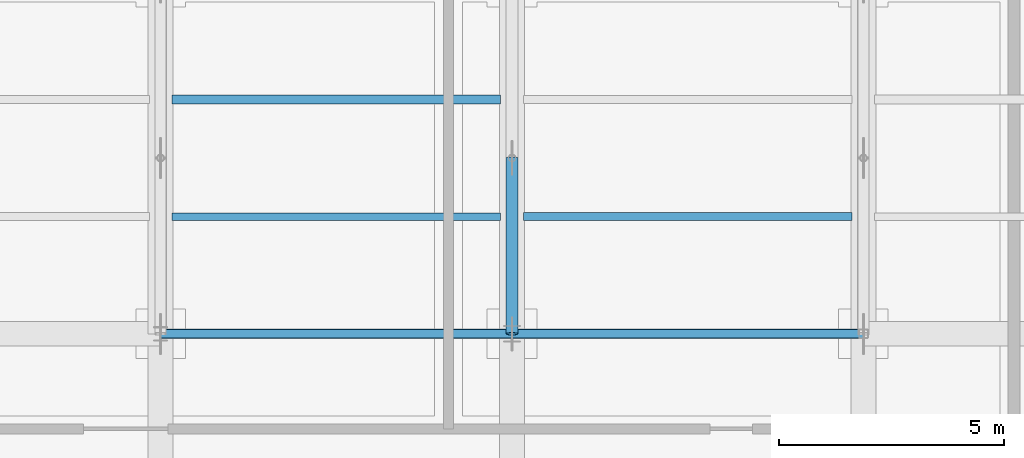
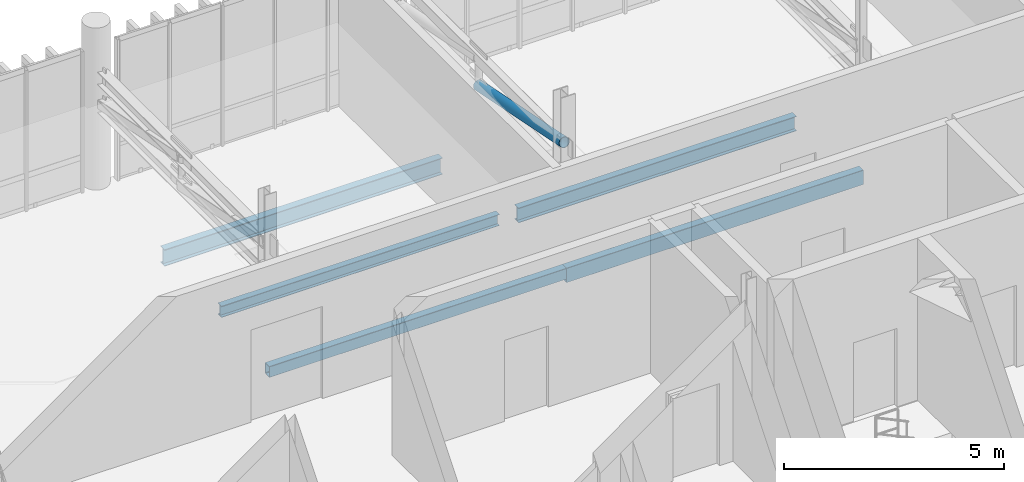
# One storey, part 36 of 53: 5 beams, 1 member.
"""IFC4 building model written with IfcOpenShell, lengths in metres."""

import ifcopenshell
import ifcopenshell.guid

model = None  # the IFC model being written
_history = None  # IfcOwnerHistory: only IFC2X3 demands one
_inside = {}  # id of a spatial element -> (the spatial element, [elements in it])
_under = {}  # id of a project, library or spatial element -> (it, [spatial elements below it])
_declared = {}  # id of a project -> (the project, [libraries it declares])
_typed = {}  # id of a type object -> (the type object, [elements of that type])
_made_of = {}  # id of a material, layer set ... -> (it, [elements and type objects made of it])


def new_model(schema):
    """Start an empty IFC model of exactly this schema.

    Asked for "IFC4X3", IfcOpenShell would pick the latest addendum, in which some entities
    have other attributes; the version numbers below select the first issue.
    IFC2X3 requires an IfcOwnerHistory on every rooted entity: one is made here for all.
    """
    global model, _history
    if schema == "IFC4X3":
        model = ifcopenshell.file(schema_version=(4, 3, 0, 0))
    else:
        model = ifcopenshell.file(schema=schema)
    _inside.clear()
    _under.clear()
    _declared.clear()
    _typed.clear()
    _made_of.clear()
    _history = None
    if model.schema == "IFC2X3":
        org = make("IfcOrganization", Name="unknown")
        user = make(
            "IfcPersonAndOrganization",
            ThePerson=make("IfcPerson", FamilyName="unknown"),
            TheOrganization=org,
        )
        app = make(
            "IfcApplication",
            ApplicationDeveloper=org,
            Version="unknown",
            ApplicationFullName="unknown",
            ApplicationIdentifier="unknown",
        )
        _history = make(
            "IfcOwnerHistory",
            OwningUser=user,
            OwningApplication=app,
            ChangeAction="ADDED",
            CreationDate=0,
        )
    return model


def make(cls, **values):
    """One entity of the class cls with the attributes given. An attribute that is None is left unset."""
    return model.create_entity(
        cls, **{name: value for name, value in values.items() if value is not None}
    )


def rooted(cls, **values):
    """An entity with a GlobalId (a new one), such as an element, a storey or a relation."""
    return make(cls, GlobalId=ifcopenshell.guid.new(), OwnerHistory=_history, **values)


def si_unit(unit_type, name, prefix=None):
    """IfcSIUnit, for example si_unit("LENGTHUNIT", "METRE", prefix="MILLI")."""
    return make("IfcSIUnit", UnitType=unit_type, Prefix=prefix, Name=name)


def assignment(units):
    """IfcUnitAssignment: the units of a project."""
    return None if units is None else make("IfcUnitAssignment", Units=units)


def point(xyz):
    """IfcCartesianPoint."""
    return None if xyz is None else make("IfcCartesianPoint", Coordinates=xyz)


def direction(xyz):
    """IfcDirection."""
    return None if xyz is None else make("IfcDirection", DirectionRatios=xyz)


def frame(location, z_axis=None, x_axis=None):
    """IfcAxis2Placement3D, a coordinate frame: its origin and axes. An axis left out is left unset."""
    return make(
        "IfcAxis2Placement3D",
        Location=point(location),
        Axis=direction(z_axis),
        RefDirection=direction(x_axis),
    )


def frame_2d(location, x_axis=None):
    """IfcAxis2Placement2D, a coordinate frame in the plane: its origin and x axis."""
    return make(
        "IfcAxis2Placement2D", Location=point(location), RefDirection=direction(x_axis)
    )


def origin_with_axes():
    """The frame at (0, 0, 0) with the z axis (0, 0, 1) and the x axis (1, 0, 0) written out."""
    return frame((0.0, 0.0, 0.0), z_axis=(0.0, 0.0, 1.0), x_axis=(1.0, 0.0, 0.0))


def origin_2d_with_axis():
    """The frame at (0, 0) in the plane with the x axis (1, 0) written out."""
    return frame_2d((0.0, 0.0), x_axis=(1.0, 0.0))


def place(relative_to, where):
    """IfcLocalPlacement: puts the frame where relative to a parent placement (None: the world)."""
    return make(
        "IfcLocalPlacement", PlacementRelTo=relative_to, RelativePlacement=where
    )


def context(
    kind, dimensions, precision=None, world=None, true_north=None, identifier=None
):
    """IfcGeometricRepresentationContext, for example the 3D "Model" context."""
    return make(
        "IfcGeometricRepresentationContext",
        ContextIdentifier=identifier,
        ContextType=kind,
        CoordinateSpaceDimension=dimensions,
        Precision=precision,
        WorldCoordinateSystem=world,
        TrueNorth=true_north,
    )


def subcontext(parent, identifier, kind, view, scale=None):
    """IfcGeometricRepresentationSubContext, for example "Body" below "Model"."""
    return make(
        "IfcGeometricRepresentationSubContext",
        ContextIdentifier=identifier,
        ContextType=kind,
        ParentContext=parent,
        TargetScale=scale,
        TargetView=view,
    )


def project(units=None, contexts=None):
    """IfcProject with its units and contexts."""
    return rooted(
        "IfcProject",
        Name="project",
        RepresentationContexts=contexts,
        UnitsInContext=assignment(units),
    )


def spatial(cls, under=None, at=None, **own):
    """A site, building, storey or space (cls), placed at a placement, below another one or the project."""
    s = rooted(cls, ObjectPlacement=at, **own)
    if under is not None:
        _under.setdefault(under.id(), (under, []))[1].append(s)
    return s


def profile(cls, at=None, kind="AREA", **sizes):
    """A parametric profile (cls). Its sizes go by their IFC names, for example OverallWidth=200.0."""
    return make(cls, ProfileType=kind, Position=at, **sizes)


def hollow_rectangle(**sizes):
    """IfcRectangleHollowProfileDef."""
    return profile("IfcRectangleHollowProfileDef", **sizes)


def hollow_circle(**sizes):
    """IfcCircleHollowProfileDef."""
    return profile("IfcCircleHollowProfileDef", **sizes)


def i_section(**sizes):
    """IfcIShapeProfileDef."""
    return profile("IfcIShapeProfileDef", **sizes)


def extrude(swept, where, along, depth):
    """IfcExtrudedAreaSolid: the profile swept, set in the frame where, extruded along a direction by depth."""
    return make(
        "IfcExtrudedAreaSolid",
        SweptArea=swept,
        Position=where,
        ExtrudedDirection=direction(along),
        Depth=depth,
    )


def shape(context_of_items, identifier, shape_type, items):
    """IfcShapeRepresentation: the items that make up one representation, for example the "Body"."""
    return make(
        "IfcShapeRepresentation",
        ContextOfItems=context_of_items,
        RepresentationIdentifier=identifier,
        RepresentationType=shape_type,
        Items=items,
    )


def material(Name=None, Category=None):
    """IfcMaterial."""
    return make("IfcMaterial", Name=Name, Category=Category)


def material_profile(
    of_material, cross_section, Name=None, Category=None, Priority=None
):
    """IfcMaterialProfile: a cross section and its material."""
    return make(
        "IfcMaterialProfile",
        Name=Name,
        Material=of_material,
        Profile=cross_section,
        Priority=Priority,
        Category=Category,
    )


def profile_set(profiles, Name=None, composite=None):
    """IfcMaterialProfileSet."""
    return make(
        "IfcMaterialProfileSet",
        Name=Name,
        MaterialProfiles=profiles,
        CompositeProfile=composite,
    )


def made_of(thing, what):
    """Note that an element or type object is made of a material, layer set ...; save() writes the relation."""
    if what is not None:
        _made_of.setdefault(what.id(), (what, []))[1].append(thing)
    return thing


def type_object(cls, material=None, **own):
    """A type object (cls), such as IfcWallType, which elements share."""
    return made_of(rooted(cls, **own), material)


def element(
    cls,
    number,
    at=None,
    inside=None,
    cuts=None,
    type_object=None,
    material=None,
    context=None,
    identifier="Body",
    shape_type=None,
    held_by="IfcProductDefinitionShape",
    body=None,
    shapes=None,
    **own,
):
    """One element of the class cls, such as IfcWall. Its Tag is "e" and its number.

    at: its placement. inside: the storey or other place that contains it. cuts: it is an
    opening in that element (IfcRelVoidsElement). A single representation is given by context,
    identifier, shape_type and body (its items); several are given by shapes. held_by: the class
    of the entity that holds the representations. save() writes the other relations.
    """
    e = rooted(cls, Tag="e%d" % number, ObjectPlacement=at, **own)
    if body is not None:
        shapes = [shape(context, identifier, shape_type, body)]
    if shapes is not None:
        e.Representation = make(held_by, Representations=shapes)
    if inside is not None:
        _inside.setdefault(inside.id(), (inside, []))[1].append(e)
    if cuts is not None:
        rooted(
            "IfcRelVoidsElement", RelatingBuildingElement=cuts, RelatedOpeningElement=e
        )
    if type_object is not None:
        _typed.setdefault(type_object.id(), (type_object, []))[1].append(e)
    return made_of(e, material)


def aggregate(whole, parts):
    """IfcRelAggregates: a whole, such as a stair, and the parts it consists of."""
    return rooted("IfcRelAggregates", RelatingObject=whole, RelatedObjects=parts)


def save(model, path):
    """Write the relations noted so far, then the file.

    IfcRelAggregates (storeys below a building ...), IfcRelContainedInSpatialStructure (elements
    in a storey), IfcRelDefinesByType, IfcRelAssociatesMaterial and IfcRelDeclares: one each for
    every whole, place, type object, material and project.
    """
    for whole, parts in _under.values():
        aggregate(whole, parts)
    for where, things in _inside.values():
        rooted(
            "IfcRelContainedInSpatialStructure",
            RelatedElements=things,
            RelatingStructure=where,
        )
    for kind, things in _typed.values():
        rooted("IfcRelDefinesByType", RelatedObjects=things, RelatingType=kind)
    for what, things in _made_of.values():
        rooted("IfcRelAssociatesMaterial", RelatedObjects=things, RelatingMaterial=what)
    for by, libraries in _declared.values():
        rooted("IfcRelDeclares", RelatingContext=by, RelatedDefinitions=libraries)
    model.write(path)


model = new_model("IFC4")

# Units and contexts
model_context = context("Model", 3, precision=1e-05, world=origin_with_axes(), true_north=direction((0.0, 1.0)))
body_context = subcontext(model_context, "Body", "Model", "MODEL_VIEW")
ifc_project = project(units=[si_unit("LENGTHUNIT", "METRE"), si_unit("AREAUNIT", "SQUARE_METRE"), si_unit("VOLUMEUNIT", "CUBIC_METRE"), si_unit("PLANEANGLEUNIT", "RADIAN"), si_unit("MASSUNIT", "GRAM", prefix="KILO"), si_unit("THERMODYNAMICTEMPERATUREUNIT", "KELVIN")], contexts=[model_context])

# Site, building, storey
site_placement = place(None, origin_with_axes())
site = spatial("IfcSite", under=ifc_project, at=site_placement, CompositionType="ELEMENT")
building_placement = place(site_placement, origin_with_axes())
building = spatial("IfcBuilding", under=site, at=building_placement, Name="Montbau Bow Law Courts", CompositionType="ELEMENT")
storey_placement = place(building_placement, frame((0.0, 0.0, 39.0), z_axis=(0.0, 0.0, 1.0), x_axis=(1.0, 0.0, 0.0)))
storey = spatial("IfcBuildingStorey", under=building, at=storey_placement, Name="L08", CompositionType="ELEMENT", Elevation=39.0)

# Beams
ifc_material_1 = material(Name="Steel CSA G40.21 Grade 350W (350 MPa)", Category="steel")
ifc_material_profile_1 = material_profile(ifc_material_1, i_section(OverallWidth=0.191, OverallDepth=0.46, WebThickness=0.0099, FlangeThickness=0.016, at=origin_2d_with_axis()), Name="W460X82", Category="Main", Priority=0)
ifc_profile_set_1 = profile_set([ifc_material_profile_1], Name="Steel CSA G40.21 Grade 350W (350 MPa)")
beam_type_1 = type_object("IfcBeamType", Name="B-JST-01", PredefinedType="JOIST", material=ifc_profile_set_1)
beam_1_placement = place(None, frame((147.251, 108.4, 38.43), z_axis=(1.0, 0.0, 0.0), x_axis=(0.0, 1.0, 0.0)))
element("IfcBeam", 1, at=beam_1_placement, inside=storey, type_object=beam_type_1, Name="JST-L08-S0768:jst2_0768", PredefinedType="JOIST", context=body_context, shape_type="SweptSolid", body=[
    extrude(i_section(OverallWidth=0.191, OverallDepth=0.46, WebThickness=0.0099, FlangeThickness=0.016, at=origin_2d_with_axis()), origin_with_axes(), (0.0, 0.0, 1.0), 7.298),
])
ifc_material_profile_2 = material_profile(ifc_material_1, i_section(OverallWidth=0.179, OverallDepth=0.41, WebThickness=0.0088, FlangeThickness=0.0144, at=origin_2d_with_axis()), Name="W410X67", Category="Main", Priority=0)
ifc_profile_set_2 = profile_set([ifc_material_profile_2], Name="Steel CSA G40.21 Grade 350W (350 MPa)")
beam_type_2 = type_object("IfcBeamType", Name="B-JST-02", PredefinedType="JOIST", material=ifc_profile_set_2)
beam_2_placement = place(None, frame((155.051, 105.8, 38.455), z_axis=(1.0, 0.0, 0.0), x_axis=(0.0, 1.0, 0.0)))
element("IfcBeam", 2, at=beam_2_placement, inside=storey, type_object=beam_type_2, Name="JST-L08-S0769:jst2_0769", PredefinedType="JOIST", context=body_context, shape_type="SweptSolid", body=[
    extrude(i_section(OverallWidth=0.179, OverallDepth=0.41, WebThickness=0.0088, FlangeThickness=0.0144, at=origin_2d_with_axis()), origin_with_axes(), (0.0, 0.0, 1.0), 7.298),
])
ifc_material_profile_3 = material_profile(ifc_material_1, i_section(OverallWidth=0.166, OverallDepth=0.313, WebThickness=0.0066, FlangeThickness=0.0112, at=origin_2d_with_axis()), Name="W310X45", Category="Main", Priority=0)
ifc_profile_set_3 = profile_set([ifc_material_profile_3], Name="Steel CSA G40.21 Grade 350W (350 MPa)")
beam_type_3 = type_object("IfcBeamType", Name="B-JST-04", PredefinedType="JOIST", material=ifc_profile_set_3)
beam_3_placement = place(None, frame((147.251, 105.8, 38.503), z_axis=(1.0, 0.0, 0.0), x_axis=(0.0, 1.0, 0.0)))
element("IfcBeam", 3, at=beam_3_placement, inside=storey, type_object=beam_type_3, Name="JST-L08-S0767:jst2_0767", PredefinedType="JOIST", context=body_context, shape_type="SweptSolid", body=[
    extrude(i_section(OverallWidth=0.166, OverallDepth=0.313, WebThickness=0.0066, FlangeThickness=0.0112, at=origin_2d_with_axis()), origin_with_axes(), (0.0, 0.0, 1.0), 7.298),
])
ifc_material_2 = material(Name="Steel CSA G40.21 Grade 350WT (350 MPa)", Category="steel")
ifc_material_profile_4 = material_profile(ifc_material_2, hollow_rectangle(XDim=0.203, YDim=0.406, WallThickness=0.0127, InnerFilletRadius=0.0254, OuterFilletRadius=0.0127, at=origin_2d_with_axis()), Name="HSS406X203X13", Category="Main", Priority=0)
ifc_profile_set_4 = profile_set([ifc_material_profile_4], Name="Steel CSA G40.21 Grade 350WT (350 MPa)")
beam_type_4 = type_object("IfcBeamType", Name="B-SPN-01", PredefinedType="SPANDREL", material=ifc_profile_set_4)
beam_4_placement = place(None, frame((154.8, 103.2, 38.457), z_axis=(1.0, 0.0, 0.0), x_axis=(0.0, 1.0, 0.0)))
element("IfcBeam", 4, at=beam_4_placement, inside=storey, type_object=beam_type_4, Name="SPN-L08-S1383:bm2_1386", PredefinedType="SPANDREL", context=body_context, shape_type="SweptSolid", body=[
    extrude(hollow_rectangle(XDim=0.203, YDim=0.406, WallThickness=0.0127, InnerFilletRadius=0.0254, OuterFilletRadius=0.0127, at=origin_2d_with_axis()), origin_with_axes(), (0.0, 0.0, 1.0), 7.8),
])
ifc_material_profile_5 = material_profile(ifc_material_2, hollow_rectangle(XDim=0.203, YDim=0.305, WallThickness=0.0127, InnerFilletRadius=0.0254, OuterFilletRadius=0.0127, at=origin_2d_with_axis()), Name="HSS305X203X13", Category="Main", Priority=0)
ifc_profile_set_5 = profile_set([ifc_material_profile_5], Name="Steel CSA G40.21 Grade 350WT (350 MPa)")
beam_type_5 = type_object("IfcBeamType", Name="B-SPN-02", PredefinedType="SPANDREL", material=ifc_profile_set_5)
beam_5_placement = place(None, frame((147.0, 103.2, 38.507), z_axis=(1.0, 0.0, 0.0), x_axis=(0.0, 1.0, 0.0)))
element("IfcBeam", 5, at=beam_5_placement, inside=storey, type_object=beam_type_5, Name="SPN-L08-S1382:bm2_1385", PredefinedType="SPANDREL", context=body_context, shape_type="SweptSolid", body=[
    extrude(hollow_rectangle(XDim=0.203, YDim=0.305, WallThickness=0.0127, InnerFilletRadius=0.0254, OuterFilletRadius=0.0127, at=origin_2d_with_axis()), origin_with_axes(), (0.0, 0.0, 1.0), 7.8),
])

# Member
ifc_material_profile_6 = material_profile(ifc_material_1, hollow_circle(Radius=0.1365, WallThickness=0.0127, at=origin_2d_with_axis()), Name="HSS273X13", Category="Main", Priority=0)
ifc_profile_set_6 = profile_set([ifc_material_profile_6], Name="Steel CSA G40.21 Grade 350W (350 MPa)")
member_type = type_object("IfcMemberType", Name="M-BRC-03", PredefinedType="BRACE", material=ifc_profile_set_6)
member_placement = place(None, frame((154.8, 103.2, 42.1), z_axis=(0.0, 0.980580676, -0.196116135), x_axis=(-1.0, 0.0, 0.0)))
element("IfcMember", 6, at=member_placement, inside=storey, type_object=member_type, Name="Diagonal brace BRC-L08-033", PredefinedType="BRACE", context=body_context, shape_type="SweptSolid", body=[
    extrude(hollow_circle(Radius=0.1365, WallThickness=0.0127, at=origin_2d_with_axis()), origin_with_axes(), (0.0, 0.0, 1.0), 3.977235),
])

save(model, "model.ifc")
